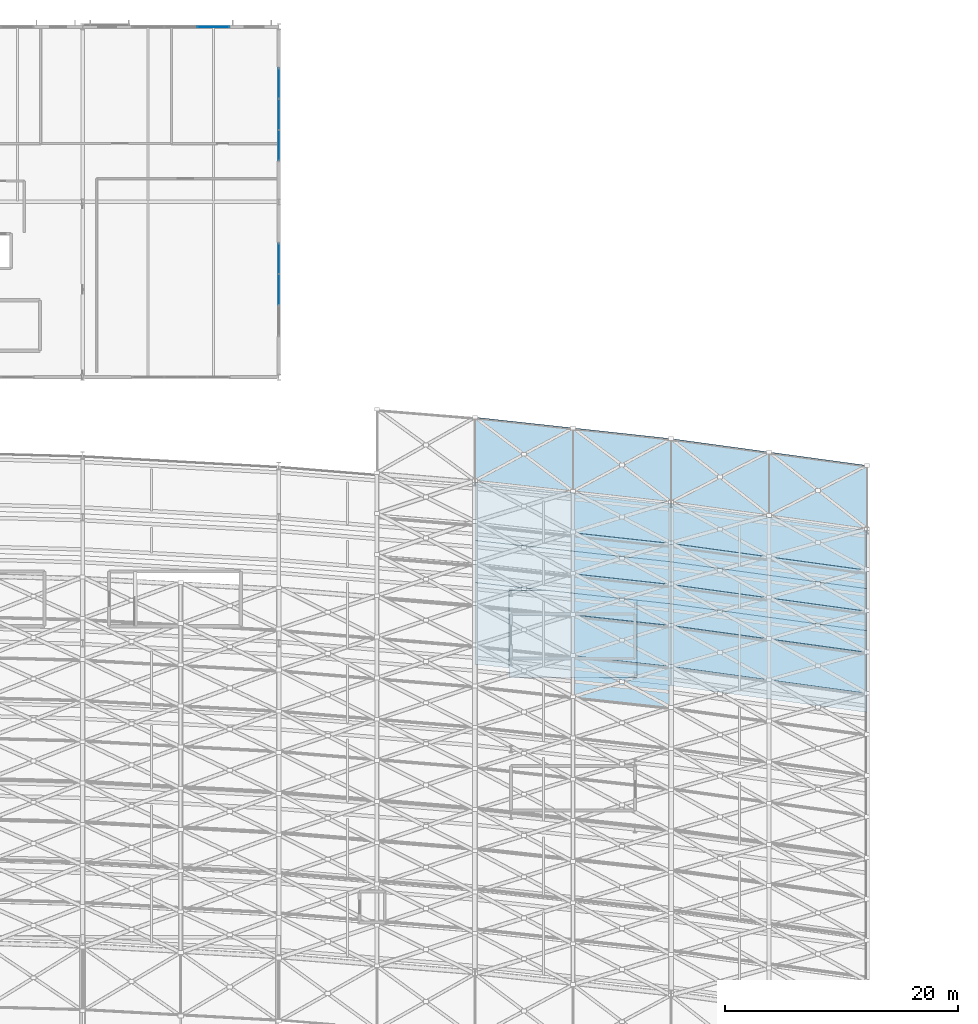
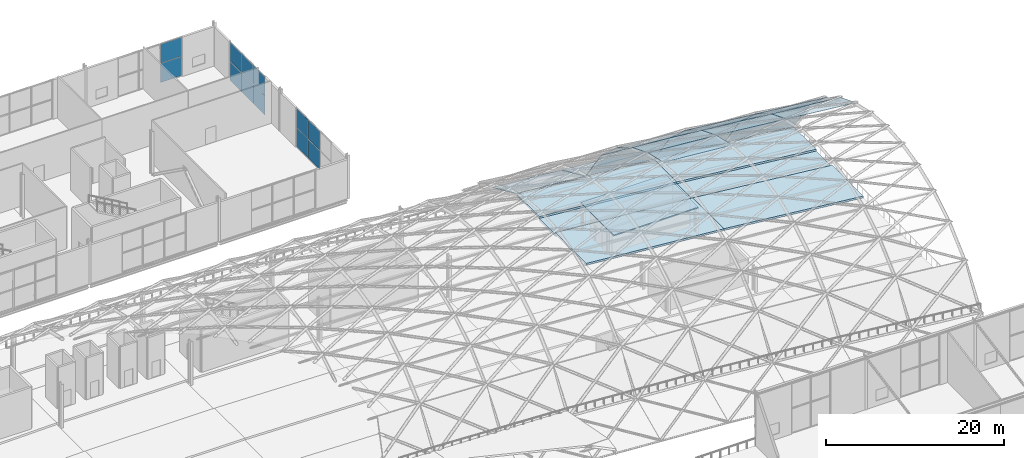
# One storey, part 72 of 100: 29 plates, 7 slabs, 3 elements without a shape of their own.
"""IFC4 building model written with IfcOpenShell, lengths in metres."""

from ifc_helpers import new_model, si_unit, direction, frame, origin, origin_2d, place, context, subcontext, project, spatial, polyline, rectangle, outline, extrude, material, layer, layer_set, type_object, element, aggregate, save


model = new_model("IFC4")

# Units and contexts
model_context = context("Model", 3, precision=1e-05, world=origin(), true_north=direction((0.0, 1.0)))
body_context = subcontext(model_context, "Body", "Model", "MODEL_VIEW")
ifc_project = project(units=[si_unit("LENGTHUNIT", "METRE"), si_unit("AREAUNIT", "SQUARE_METRE"), si_unit("VOLUMEUNIT", "CUBIC_METRE"), si_unit("PLANEANGLEUNIT", "RADIAN"), si_unit("MASSUNIT", "GRAM", prefix="KILO")], contexts=[model_context])

# Site, building, storey
site_placement = place(None, origin())
site = spatial("IfcSite", under=ifc_project, at=site_placement, CompositionType="ELEMENT")
building_placement = place(site_placement, origin())
building = spatial("IfcBuilding", under=site, at=building_placement, Name="Kimbaza Rail Terminus", CompositionType="ELEMENT")
storey_placement = place(building_placement, frame((0.0, 0.0, 10.800048828125)))
storey = spatial("IfcBuildingStorey", under=building, at=storey_placement, Name="L02", CompositionType="ELEMENT", Elevation=10.800048828125)

# Curtain wall, plates
ifc_material_1 = material(Name="Anodised aluminium framing and solar low-E glazing", Category="aluminium")
curtain_wall_type = type_object("IfcCurtainWallType", Name="ARC-CW-OP1", PredefinedType="USERDEFINED", material=ifc_material_1)
curtain_wall_1_placement = place(storey_placement, origin())
curtain_wall_1 = element("IfcCurtainWall", 1, at=curtain_wall_1_placement, inside=storey, type_object=curtain_wall_type, Name="Operations North Curtain Wall L02 Bay 6", ObjectType="UNITISED CURTAIN WALL", PredefinedType="USERDEFINED")
ifc_material_2 = material(Name="Solar-control double low-E glazing", Category="glass")
ifc_layer_1 = layer(ifc_material_2, 0.02490234375)
ifc_layer_set_1 = layer_set([ifc_layer_1], Name="Solar-control double low-E glazing")
plate_type_1 = type_object("IfcPlateType", Name="ARC-CWP-05", PredefinedType="CURTAIN_PANEL", material=ifc_layer_set_1)
plate_1_placement = place(storey_placement, frame((150.384521484375, 133.0, 0.06201171875), z_axis=(0.0, 0.0, 1.0), x_axis=(1.0, 0.0, 0.0)))
plate_1 = element("IfcPlate", 2, at=plate_1_placement, type_object=plate_type_1, Name="CW-05 panel 3.1", PredefinedType="CURTAIN_PANEL", context=body_context, shape_type="SweptSolid", body=[
    extrude(rectangle(XDim=2.70703125, YDim=0.02490234375, at=origin_2d()), origin(), (0.0, 0.0, 1.0), 2.609619140625),
])
plate_2_placement = place(storey_placement, frame((150.384521484375, 133.0, 2.7333984375), z_axis=(0.0, 0.0, 1.0), x_axis=(1.0, 0.0, 0.0)))
plate_2 = element("IfcPlate", 3, at=plate_2_placement, type_object=plate_type_1, Name="CW-05 panel 3.2", PredefinedType="CURTAIN_PANEL", context=body_context, shape_type="SweptSolid", body=[
    extrude(rectangle(XDim=2.70703125, YDim=0.02490234375, at=origin_2d()), origin(), (0.0, 0.0, 1.0), 2.609619140625),
])
aggregate(curtain_wall_1, [plate_1, plate_2])

curtain_wall_2_placement = place(storey_placement, origin())
curtain_wall_2 = element("IfcCurtainWall", 4, at=curtain_wall_2_placement, inside=storey, type_object=curtain_wall_type, Name="Operations E Curtain Wall L02.1", ObjectType="UNITISED CURTAIN WALL", PredefinedType="USERDEFINED")
plate_3_placement = place(storey_placement, frame((156.0, 110.5, 0.06201171875), z_axis=(0.0, 0.0, 1.0), x_axis=(0.0, 1.0, 0.0)))
plate_3 = element("IfcPlate", 5, at=plate_3_placement, type_object=plate_type_1, Name="CW-05 panel 2.1", PredefinedType="CURTAIN_PANEL", context=body_context, shape_type="SweptSolid", body=[
    extrude(rectangle(XDim=2.604736328125, YDim=0.02490234375, at=origin_2d()), origin(), (0.0, 0.0, 1.0), 2.609619140625),
])
plate_4_placement = place(storey_placement, frame((156.0, 110.5, 2.7333984375), z_axis=(0.0, 0.0, 1.0), x_axis=(0.0, 1.0, 0.0)))
plate_4 = element("IfcPlate", 6, at=plate_4_placement, type_object=plate_type_1, Name="CW-05 panel 2.2", PredefinedType="CURTAIN_PANEL", context=body_context, shape_type="SweptSolid", body=[
    extrude(rectangle(XDim=2.604736328125, YDim=0.02490234375, at=origin_2d()), origin(), (0.0, 0.0, 1.0), 2.609619140625),
])
plate_5_placement = place(storey_placement, frame((156.0, 113.151123046875, 0.06201171875), z_axis=(0.0, 0.0, 1.0), x_axis=(0.0, 1.0, 0.0)))
plate_5 = element("IfcPlate", 7, at=plate_5_placement, type_object=plate_type_1, Name="CW-05 panel 3.1", PredefinedType="CURTAIN_PANEL", context=body_context, shape_type="SweptSolid", body=[
    extrude(rectangle(XDim=2.57373046875, YDim=0.02490234375, at=origin_2d()), origin(), (0.0, 0.0, 1.0), 2.609619140625),
])
plate_6_placement = place(storey_placement, frame((156.0, 113.151123046875, 2.7333984375), z_axis=(0.0, 0.0, 1.0), x_axis=(0.0, 1.0, 0.0)))
plate_6 = element("IfcPlate", 8, at=plate_6_placement, type_object=plate_type_1, Name="CW-05 panel 3.2", PredefinedType="CURTAIN_PANEL", context=body_context, shape_type="SweptSolid", body=[
    extrude(rectangle(XDim=2.57373046875, YDim=0.02490234375, at=origin_2d()), origin(), (0.0, 0.0, 1.0), 2.609619140625),
])
aggregate(curtain_wall_2, [plate_3, plate_4, plate_5, plate_6])

curtain_wall_3_placement = place(storey_placement, origin())
curtain_wall_3 = element("IfcCurtainWall", 9, at=curtain_wall_3_placement, inside=storey, type_object=curtain_wall_type, Name="Operations E Curtain Wall L02.2", ObjectType="UNITISED CURTAIN WALL", PredefinedType="USERDEFINED")
plate_7_placement = place(storey_placement, frame((156.0, 122.848876953125, 0.06201171875), z_axis=(0.0, 0.0, 1.0), x_axis=(0.0, 1.0, 0.0)))
plate_7 = element("IfcPlate", 10, at=plate_7_placement, type_object=plate_type_1, Name="CW-05 panel 1.1", PredefinedType="CURTAIN_PANEL", context=body_context, shape_type="SweptSolid", body=[
    extrude(rectangle(XDim=2.57373046875, YDim=0.02490234375, at=origin_2d()), origin(), (0.0, 0.0, 1.0), 2.609619140625),
])
plate_8_placement = place(storey_placement, frame((156.0, 122.848876953125, 2.7333984375), z_axis=(0.0, 0.0, 1.0), x_axis=(0.0, 1.0, 0.0)))
plate_8 = element("IfcPlate", 11, at=plate_8_placement, type_object=plate_type_1, Name="CW-05 panel 1.2", PredefinedType="CURTAIN_PANEL", context=body_context, shape_type="SweptSolid", body=[
    extrude(rectangle(XDim=2.57373046875, YDim=0.02490234375, at=origin_2d()), origin(), (0.0, 0.0, 1.0), 2.609619140625),
])
plate_9_placement = place(storey_placement, frame((156.0, 125.5, 0.06201171875), z_axis=(0.0, 0.0, 1.0), x_axis=(0.0, 1.0, 0.0)))
plate_9 = element("IfcPlate", 12, at=plate_9_placement, type_object=plate_type_1, Name="CW-05 panel 2.1", PredefinedType="CURTAIN_PANEL", context=body_context, shape_type="SweptSolid", body=[
    extrude(rectangle(XDim=2.604736328125, YDim=0.02490234375, at=origin_2d()), origin(), (0.0, 0.0, 1.0), 2.609619140625),
])
plate_10_placement = place(storey_placement, frame((156.0, 125.5, 2.7333984375), z_axis=(0.0, 0.0, 1.0), x_axis=(0.0, 1.0, 0.0)))
plate_10 = element("IfcPlate", 13, at=plate_10_placement, type_object=plate_type_1, Name="CW-05 panel 2.2", PredefinedType="CURTAIN_PANEL", context=body_context, shape_type="SweptSolid", body=[
    extrude(rectangle(XDim=2.604736328125, YDim=0.02490234375, at=origin_2d()), origin(), (0.0, 0.0, 1.0), 2.609619140625),
])
plate_11_placement = place(storey_placement, frame((156.0, 128.151123046875, 0.06201171875), z_axis=(0.0, 0.0, 1.0), x_axis=(0.0, 1.0, 0.0)))
plate_11 = element("IfcPlate", 14, at=plate_11_placement, type_object=plate_type_1, Name="CW-05 panel 3.1", PredefinedType="CURTAIN_PANEL", context=body_context, shape_type="SweptSolid", body=[
    extrude(rectangle(XDim=2.57373046875, YDim=0.02490234375, at=origin_2d()), origin(), (0.0, 0.0, 1.0), 2.609619140625),
])
plate_12_placement = place(storey_placement, frame((156.0, 128.151123046875, 2.7333984375), z_axis=(0.0, 0.0, 1.0), x_axis=(0.0, 1.0, 0.0)))
plate_12 = element("IfcPlate", 15, at=plate_12_placement, type_object=plate_type_1, Name="CW-05 panel 3.2", PredefinedType="CURTAIN_PANEL", context=body_context, shape_type="SweptSolid", body=[
    extrude(rectangle(XDim=2.57373046875, YDim=0.02490234375, at=origin_2d()), origin(), (0.0, 0.0, 1.0), 2.609619140625),
])
aggregate(curtain_wall_3, [plate_7, plate_8, plate_9, plate_10, plate_11, plate_12])

# Plates
ifc_material_3 = material(Name="Insulated pearl-white aluminium cassette", Category="aluminium")
ifc_layer_2 = layer(ifc_material_3, 0.0810546875)
ifc_layer_set_2 = layer_set([ifc_layer_2], Name="Insulated pearl-white aluminium cassette")
plate_type_2 = type_object("IfcPlateType", Name="ARC-PL-VAL-14", PredefinedType="SHEET", material=ifc_layer_set_2)
plate_13_placement = place(storey_placement, frame((172.804931640625, 94.0615234375, 0.123779296875), z_axis=(0.045120004332, 0.413381516627, 0.90943933658), x_axis=(0.994095994634, -0.108504163297, 0.0)))
element("IfcPlate", 16, at=plate_13_placement, inside=storey, type_object=plate_type_2, Name="Vault Insulated Aluminium Cassette VR-18-VA13", PredefinedType="SHEET", context=body_context, shape_type="SweptSolid", body=[
    extrude(outline(polyline([(0.0, 0.0), (8.43996632522378, 0.0), (7.843193427089148, 6.011976555846837), (-0.5967728981346325, 6.011976555846837), (0.0, 0.0)])), origin(), (0.0, 0.0, -1.0), 0.0810546875),
])
plate_14_placement = place(storey_placement, frame((181.205078125, 93.145751953125, 0.123779296875), z_axis=(0.045133319265, 0.413381267737, 0.909438789021), x_axis=(0.994092533341, -0.108535870365, 0.0)))
element("IfcPlate", 17, at=plate_14_placement, inside=storey, type_object=plate_type_2, Name="Vault Insulated Aluminium Cassette VR-19-VA13", PredefinedType="SHEET", context=body_context, shape_type="SweptSolid", body=[
    extrude(outline(polyline([(0.0, 0.0), (8.43975012057354, 0.0), (7.842802833565757, 6.0119592427539), (-0.5969472870077849, 6.0119592427539), (0.0, 0.0)])), origin(), (0.0, 0.0, -1.0), 0.0810546875),
])
plate_15_placement = place(storey_placement, frame((189.60498046875, 92.229736328125, 0.123779296875), z_axis=(0.056562472149, 0.41314047139, 0.908909037057), x_axis=(0.990757747619, -0.135643228847, 0.0)))
element("IfcPlate", 18, at=plate_15_placement, inside=storey, type_object=plate_type_2, Name="Vault Insulated Aluminium Cassette VR-20-VA13", PredefinedType="SHEET", context=body_context, shape_type="SweptSolid", body=[
    extrude(outline(polyline([(0.0, 0.0), (8.468403844339614, 2.220446049250313e-16), (7.722366085682136, 5.995283784997782), (-0.7460377586574786, 5.995283784997782), (0.0, 0.0)])), origin(), (0.0, 0.0, -1.0), 0.0810546875),
])
plate_16_placement = place(storey_placement, frame((198.0048828125, 91.0810546875, 0.123779296875), z_axis=(0.056574455455, 0.413140190432, 0.908908418951), x_axis=(0.990753872834, -0.135671527834, 0.0)))
element("IfcPlate", 19, at=plate_16_placement, inside=storey, type_object=plate_type_2, Name="Vault Insulated Aluminium Cassette VR-21-VA13", PredefinedType="SHEET", context=body_context, shape_type="SweptSolid", body=[
    extrude(outline(polyline([(0.0, 0.0), (8.468436963816755, 0.0), (7.722243560727767, 5.995264414951728), (-0.7461934030889878, 5.995264414951728), (0.0, 0.0)])), origin(), (0.0, 0.0, -1.0), 0.0810546875),
])
ifc_material_4 = material(Name="Laminated solar-control low-E glass", Category="glass")
ifc_layer_3 = layer(ifc_material_4, 0.0419921875)
ifc_layer_set_3 = layer_set([ifc_layer_3], Name="Laminated solar-control low-E glass")
plate_type_3 = type_object("IfcPlateType", Name="ARC-PL-VGL-09", PredefinedType="SHEET", material=ifc_layer_set_3)
plate_17_placement = place(storey_placement, frame((181.205078125, 75.611083984375, 12.6337890625), z_axis=(0.024322415435, 0.22277180342, 0.974567157105), x_axis=(0.994092533341, -0.108535870365, 0.0)))
element("IfcPlate", 20, at=plate_17_placement, inside=storey, type_object=plate_type_3, Name="Vault Solar Glass Cassette VR-19-VA08", PredefinedType="SHEET", context=body_context, shape_type="SweptSolid", body=[
    extrude(outline(polyline([(0.0, 0.0), (8.43975012057354, 0.0), (8.05987457429586, 3.570122224339724), (-0.3798755462776813, 3.570122224339724), (0.0, 0.0)])), origin(), (0.0, 0.0, -1.0), 0.0419921875),
])
ifc_material_5 = material(Name="Laminated solar-control low-E glass", Category="glass")
ifc_layer_4 = layer(ifc_material_5, 0.0439453125)
ifc_layer_set_4 = layer_set([ifc_layer_4], Name="Laminated solar-control low-E glass")
plate_type_4 = type_object("IfcPlateType", Name="ARC-PL-VGL-10", PredefinedType="SHEET", material=ifc_layer_set_4)
plate_18_placement = place(storey_placement, frame((181.205078125, 79.126220703125, 11.8310546875), z_axis=(0.040531265198, 0.371230524658, 0.927655708819), x_axis=(0.994092533341, -0.108535870365, 0.0)))
element("IfcPlate", 21, at=plate_18_placement, inside=storey, type_object=plate_type_4, Name="Vault Solar Glass Cassette VR-19-VA09", PredefinedType="SHEET", context=body_context, shape_type="SweptSolid", body=[
    extrude(outline(polyline([(0.0, 0.0), (8.43975012057354, 0.0), (8.05987457429586, 3.7506629168745134), (-0.3798755462776813, 3.7506629168745134), (0.0, 0.0)])), origin(), (0.0, 0.0, -1.0), 0.0439453125),
])
plate_19_placement = place(storey_placement, frame((189.60498046875, 78.210205078125, 11.8310546875), z_axis=(0.050800761265, 0.371056102366, 0.92721985071), x_axis=(0.990757747619, -0.135643228847, 0.0)))
element("IfcPlate", 22, at=plate_19_placement, inside=storey, type_object=plate_type_4, Name="Vault Solar Glass Cassette VR-20-VA09", PredefinedType="SHEET", context=body_context, shape_type="SweptSolid", body=[
    extrude(outline(polyline([(0.0, 0.0), (8.468403844339614, 2.220446049250313e-16), (7.993652543375765, 3.7398380912695317), (-0.47475130096385, 3.7398380912695313), (0.0, 0.0)])), origin(), (0.0, 0.0, -1.0), 0.0439453125),
])
plate_20_placement = place(storey_placement, frame((198.0048828125, 77.0615234375, 11.8310546875), z_axis=(0.050811530578, 0.371055898819, 0.927219342072), x_axis=(0.990753872834, -0.135671527834, 0.0)))
element("IfcPlate", 23, at=plate_20_placement, inside=storey, type_object=plate_type_4, Name="Vault Solar Glass Cassette VR-21-VA09", PredefinedType="SHEET", context=body_context, shape_type="SweptSolid", body=[
    extrude(outline(polyline([(0.0, 0.0), (8.468436963816755, 0.0), (7.99358661639649, 3.7398255165491685), (-0.474850347420265, 3.7398255165491685), (0.0, 0.0)])), origin(), (0.0, 0.0, -1.0), 0.0439453125),
])
ifc_material_6 = material(Name="Laminated solar-control low-E glass", Category="glass")
ifc_layer_5 = layer(ifc_material_6, 0.0458984375)
ifc_layer_set_5 = layer_set([ifc_layer_5], Name="Laminated solar-control low-E glass")
plate_type_5 = type_object("IfcPlateType", Name="ARC-PL-VGL-11", PredefinedType="SHEET", material=ifc_layer_set_5)
plate_21_placement = place(storey_placement, frame((181.205078125, 82.641845703125, 10.4248046875), z_axis=(0.056727704658, 0.519575578514, 0.852539257592), x_axis=(0.994092533341, -0.108535870365, 0.0)))
element("IfcPlate", 24, at=plate_21_placement, inside=storey, type_object=plate_type_5, Name="Vault Solar Glass Cassette VR-19-VA10", PredefinedType="SHEET", context=body_context, shape_type="SweptSolid", body=[
    extrude(outline(polyline([(0.0, 0.0), (8.43975012057354, 0.0), (8.05987457429586, 4.0811303828050685), (-0.3798755462776813, 4.0811303828050685), (0.0, 0.0)])), origin(), (0.0, 0.0, -1.0), 0.0458984375),
])
for number, where, z_axis, x_axis, name in (
    (25, (189.60498046875, 81.725830078125, 10.4248046875), (0.071068924107, 0.519097693062, 0.85175512507), (0.990757747619, -0.135643228847, 0.0), "Vault Solar Glass Cassette VR-20-VA10"),
    (26, (198.0048828125, 80.5771484375, 10.4248046875), (0.071068924107, 0.519097693062, 0.85175512507), (0.990757747619, -0.135643228847, 0.0), "Vault Solar Glass Cassette VR-21-VA10"),
):
    element("IfcPlate", number, at=place(storey_placement, frame(where, z_axis=z_axis, x_axis=x_axis)), inside=storey, type_object=plate_type_5, Name=name, PredefinedType="SHEET", context=body_context, shape_type="SweptSolid", body=[
        extrude(outline(polyline([(0.0, 0.0), (8.468403844339614, 0.0), (7.993652543375765, 4.071184328220419), (-0.47475130096385, 4.071184328220419), (0.0, 0.0)])), origin(), (0.0, 0.0, -1.0), 0.0458984375),
    ])
ifc_material_7 = material(Name="Laminated solar-control low-E glass", Category="glass")
ifc_layer_6 = layer(ifc_material_7, 0.048095703125)
ifc_layer_set_6 = layer_set([ifc_layer_6], Name="Laminated solar-control low-E glass")
plate_type_6 = type_object("IfcPlateType", Name="ARC-PL-VGL-12", PredefinedType="SHEET", material=ifc_layer_set_6)
plate_22_placement = place(storey_placement, frame((181.205078125, 86.158203125, 8.281982421875), z_axis=(0.07295126009, 0.668168990666, 0.740424414484), x_axis=(0.994092533341, -0.108535870365, 0.0)))
element("IfcPlate", 27, at=plate_22_placement, inside=storey, type_object=plate_type_6, Name="Vault Solar Glass Cassette VR-19-VA11", PredefinedType="SHEET", context=body_context, shape_type="SweptSolid", body=[
    extrude(outline(polyline([(0.0, 0.0), (8.43975012057354, 0.0), (8.05987457429586, 4.6990939232020335), (-0.3798755462776813, 4.6990939232020335), (0.0, 0.0)])), origin(), (0.0, 0.0, -1.0), 0.048095703125),
])
for number, where, z_axis, x_axis, name in (
    (28, (189.60498046875, 85.2421875, 8.281982421875), (0.091339043118, 0.6671535719, 0.739299188897), (0.990757747619, -0.135643228847, 0.0), "Vault Solar Glass Cassette VR-20-VA11"),
    (29, (198.0048828125, 84.093505859375, 8.281982421875), (0.091339043118, 0.6671535719, 0.739299188897), (0.990757747619, -0.135643228847, 0.0), "Vault Solar Glass Cassette VR-21-VA11"),
):
    element("IfcPlate", number, at=place(storey_placement, frame(where, z_axis=z_axis, x_axis=x_axis)), inside=storey, type_object=plate_type_6, Name=name, PredefinedType="SHEET", context=body_context, shape_type="SweptSolid", body=[
        extrude(outline(polyline([(0.0, 0.0), (8.468403844339614, 1.1102230246251565e-16), (7.993652543375765, 4.690458435160381), (-0.47475130096385, 4.690458435160381), (0.0, 0.0)])), origin(), (0.0, 0.0, -1.0), 0.048095703125),
    ])
ifc_material_8 = material(Name="Laminated solar-control low-E glass", Category="glass")
ifc_layer_7 = layer(ifc_material_8, 0.050048828125)
ifc_layer_set_7 = layer_set([ifc_layer_7], Name="Laminated solar-control low-E glass")
plate_type_7 = type_object("IfcPlateType", Name="ARC-PL-VGL-13", PredefinedType="SHEET", material=ifc_layer_set_7)
plate_23_placement = place(storey_placement, frame((181.205078125, 89.675048828125, 5.107666015625), z_axis=(0.089358703495, 0.818446653945, 0.567591487565), x_axis=(0.994092533341, -0.108535870365, 0.0)))
element("IfcPlate", 30, at=plate_23_placement, inside=storey, type_object=plate_type_7, Name="Vault Solar Glass Cassette VR-19-VA12", PredefinedType="SHEET", context=body_context, shape_type="SweptSolid", body=[
    extrude(outline(polyline([(0.0, 0.0), (8.43975012057354, 0.0), (8.05987457429586, 6.129978942456918), (-0.3798755462776812, 6.129978942456918), (0.0, 0.0)])), origin(), (0.0, 0.0, -1.0), 0.050048828125),
])
for number, where, z_axis, x_axis, name in (
    (31, (189.60498046875, 88.759033203125, 5.107666015625), (0.111797155631, 0.81658258245, 0.566298756869), (0.990757747619, -0.135643228847, 0.0), "Vault Solar Glass Cassette VR-20-VA12"),
    (32, (198.0048828125, 87.6103515625, 5.107666015625), (0.111797155631, 0.81658258245, 0.566298756869), (0.990757747619, -0.135643228847, 0.0), "Vault Solar Glass Cassette VR-21-VA12"),
):
    element("IfcPlate", number, at=place(storey_placement, frame(where, z_axis=z_axis, x_axis=x_axis)), inside=storey, type_object=plate_type_7, Name=name, PredefinedType="SHEET", context=body_context, shape_type="SweptSolid", body=[
        extrude(outline(polyline([(0.0, 0.0), (8.468403844339614, 0.0), (7.993652543375765, 6.123361696638386), (-0.47475130096385004, 6.123361696638386), (0.0, 0.0)])), origin(), (0.0, 0.0, -1.0), 0.050048828125),
    ])

# Slabs
ifc_material_9 = material(Name="Concrete C40/50", Category="concrete")
ifc_layer_8 = layer(ifc_material_9, 0.155029296875)
ifc_layer_set_8 = layer_set([ifc_layer_8], Name="Concrete C40/50")
slab_type_1 = type_object("IfcSlabType", Name="STR-SL-OVR155", PredefinedType="ROOF", material=ifc_layer_set_8)
slab_1_placement = place(storey_placement, frame((0.0, 0.0, 3.39990234375)))
element("IfcSlab", 33, at=slab_1_placement, inside=storey, type_object=slab_type_1, Name="Island Platform 4-5 Air-Conditioned Waiting Lounge 10 Pod Roof Slab", PredefinedType="ROOF", context=body_context, shape_type="SweptSolid", body=[
    extrude(outline(polyline([(175.699951171875, 77.26171875), (186.699951171875, 77.26171875), (186.699951171875, 84.71728515625), (175.699951171875, 84.71728515625), (175.699951171875, 77.26171875)])), origin(), (0.0, 0.0, 1.0), 0.155029296875),
])
ifc_material_10 = material(Name="Precast concrete C40/50", Category="concrete")
ifc_layer_9 = layer(ifc_material_10, 0.260009765625)
ifc_layer_set_9 = layer_set([ifc_layer_9], Name="Precast concrete C40/50")
slab_type_2 = type_object("IfcSlabType", Name="STR-SL-PLT260", PredefinedType="FLOOR", material=ifc_layer_set_9)
slab_2_placement = place(storey_placement, frame((0.0, 0.0, -0.260009765625)))
element("IfcSlab", 34, at=slab_2_placement, inside=storey, type_object=slab_type_2, Name="Viaduct Platform 4-5 North Island Bay 10", PredefinedType="FLOOR", context=body_context, shape_type="SweptSolid", body=[
    extrude(outline(polyline([(172.800048828125, 78.405517578125), (189.60009765625, 76.573486328125), (189.60009765625, 83.573486328125), (172.800048828125, 85.405517578125), (172.800048828125, 78.405517578125)])), origin(), (0.0, 0.0, 1.0), 0.260009765625),
])
slab_3_placement = place(storey_placement, frame((0.0, 0.0, -0.260009765625)))
element("IfcSlab", 35, at=slab_3_placement, inside=storey, type_object=slab_type_2, Name="Viaduct Platform 6 North Intercity Bay 10", PredefinedType="FLOOR", context=body_context, shape_type="SweptSolid", body=[
    extrude(outline(polyline([(172.800048828125, 89.00537109375), (189.60009765625, 87.173583984375), (189.60009765625, 92.173583984375), (172.800048828125, 94.00537109375), (172.800048828125, 89.00537109375)])), origin(), (0.0, 0.0, 1.0), 0.260009765625),
])
slab_4_placement = place(storey_placement, frame((0.0, 0.0, -0.260009765625)))
element("IfcSlab", 36, at=slab_4_placement, inside=storey, type_object=slab_type_2, Name="Viaduct Platform 4-5 North Island Bay 11", PredefinedType="FLOOR", context=body_context, shape_type="SweptSolid", body=[
    extrude(outline(polyline([(189.60009765625, 76.573486328125), (206.39990234375, 74.27587890625), (206.39990234375, 81.27587890625), (189.60009765625, 83.573486328125), (189.60009765625, 76.573486328125)])), origin(), (0.0, 0.0, 1.0), 0.260009765625),
])
slab_5_placement = place(storey_placement, frame((0.0, 0.0, -0.260009765625)))
element("IfcSlab", 37, at=slab_5_placement, inside=storey, type_object=slab_type_2, Name="Viaduct Platform 6 North Intercity Bay 11", PredefinedType="FLOOR", context=body_context, shape_type="SweptSolid", body=[
    extrude(outline(polyline([(189.60009765625, 87.173583984375), (206.39990234375, 84.8759765625), (206.39990234375, 89.8759765625), (189.60009765625, 92.173583984375), (189.60009765625, 87.173583984375)])), origin(), (0.0, 0.0, 1.0), 0.260009765625),
])
ifc_material_11 = material(Name="Concrete C40/50", Category="concrete")
ifc_layer_10 = layer(ifc_material_11, 0.320068359375)
ifc_layer_set_10 = layer_set([ifc_layer_10], Name="Concrete C40/50")
slab_type_3 = type_object("IfcSlabType", Name="STR-SL-TRK320", PredefinedType="FLOOR", material=ifc_layer_set_10)
slab_6_placement = place(storey_placement, frame((0.0, 0.0, -0.570068359375)))
element("IfcSlab", 38, at=slab_6_placement, inside=storey, type_object=slab_type_3, Name="Viaduct Track Bed 5-6 Bay 10", PredefinedType="FLOOR", context=body_context, shape_type="SweptSolid", body=[
    extrude(outline(polyline([(172.800048828125, 85.405517578125), (189.60009765625, 83.573486328125), (189.60009765625, 87.173583984375), (172.800048828125, 89.00537109375), (172.800048828125, 85.405517578125)])), origin(), (0.0, 0.0, 1.0), 0.320068359375),
])
slab_7_placement = place(storey_placement, frame((0.0, 0.0, -0.570068359375)))
element("IfcSlab", 39, at=slab_7_placement, inside=storey, type_object=slab_type_3, Name="Viaduct Track Bed 5-6 Bay 11", PredefinedType="FLOOR", context=body_context, shape_type="SweptSolid", body=[
    extrude(outline(polyline([(189.60009765625, 83.573486328125), (206.39990234375, 81.27587890625), (206.39990234375, 84.8759765625), (189.60009765625, 87.173583984375), (189.60009765625, 83.573486328125)])), origin(), (0.0, 0.0, 1.0), 0.320068359375),
])

save(model, "model.ifc")
